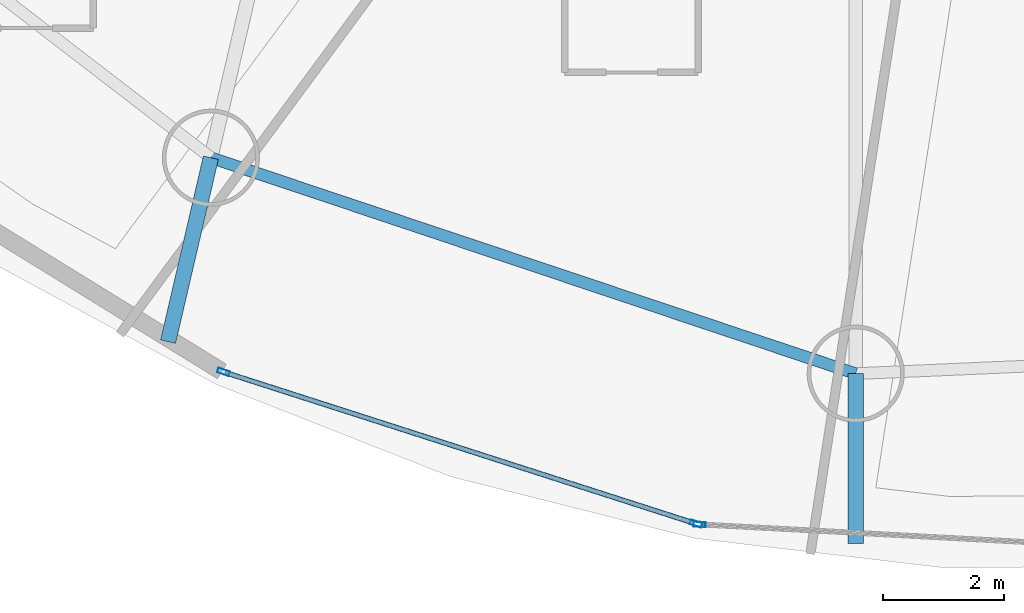
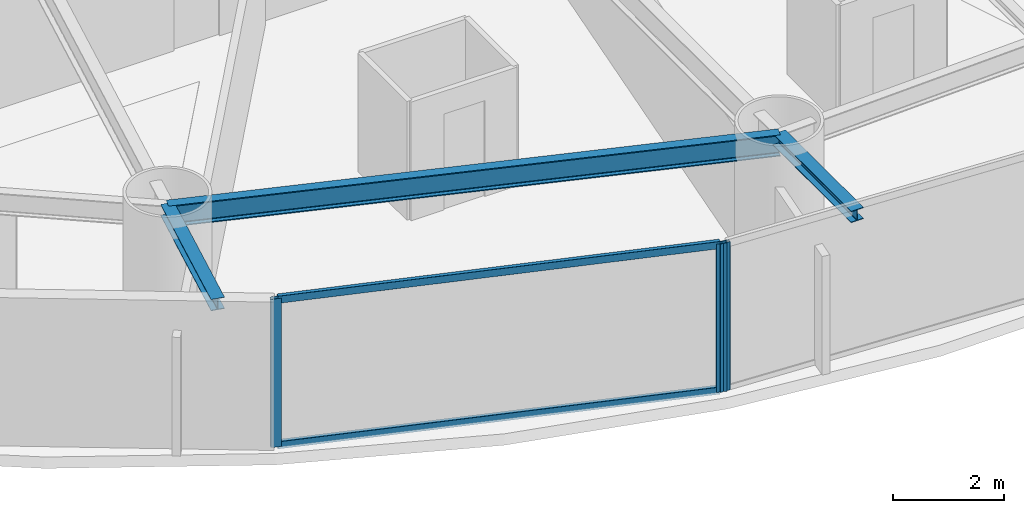
# One storey, part 2 of 26: 5 members, 3 beams, 2 elements without a shape of their own.
"""IFC4 building model written with IfcOpenShell, lengths in metres."""

from ifc_helpers import new_model, si_unit, direction, frame, origin, origin_2d, place, context, subcontext, project, spatial, hollow_rectangle, i_section, extrude, material, layer, layer_set, material_profile, profile_set, type_object, element, aggregate, save


model = new_model("IFC4")

# Units and contexts
model_context = context("Model", 3, precision=1e-05, world=origin(), true_north=direction((0.0, 1.0)))
body_context = subcontext(model_context, "Body", "Model", "MODEL_VIEW")
ifc_project = project(units=[si_unit("LENGTHUNIT", "METRE"), si_unit("AREAUNIT", "SQUARE_METRE"), si_unit("VOLUMEUNIT", "CUBIC_METRE"), si_unit("PLANEANGLEUNIT", "RADIAN"), si_unit("MASSUNIT", "GRAM", prefix="KILO")], contexts=[model_context])

# Site, building, storey
site_placement = place(None, origin())
site = spatial("IfcSite", under=ifc_project, at=site_placement, CompositionType="ELEMENT")
building_placement = place(site_placement, origin())
building = spatial("IfcBuilding", under=site, at=building_placement, Name="Bramvorn Convention Spire", CompositionType="ELEMENT")
storey_placement = place(building_placement, frame((0.0, 0.0, 76.39990234375)))
storey = spatial("IfcBuildingStorey", under=building, at=storey_placement, Name="L17", CompositionType="ELEMENT", Elevation=76.39990234375)

# Beams
ifc_material_1 = material(Name="Steel CSA G40.21 Grade 350 (350W)", Category="steel")
ifc_material_profile_1 = material_profile(ifc_material_1, i_section(OverallWidth=0.25390625, OverallDepth=0.2529296875, WebThickness=0.008544921875, FlangeThickness=0.01416015625, FilletRadius=0.011962890625, at=origin_2d()))
ifc_profile_set_1 = profile_set([ifc_material_profile_1], Name="Steel CSA G40.21 Grade 350 (350W) - W250X73")
beam_type_1 = type_object("IfcBeamType", Name="BM-W250X73", PredefinedType="BEAM", material=ifc_profile_set_1)
beam_1_placement = place(storey_placement, frame((24.40966796875, 8.490966796875, 3.12353515625), z_axis=(-0.226565383134, -0.973995958495, 0.0), x_axis=(0.973995958495, -0.226565383134, 0.0)))
element("IfcBeam", 1, at=beam_1_placement, inside=storey, type_object=beam_type_1, Name="L17 slab-edge cantilever tip beam MC12", PredefinedType="BEAM", context=body_context, shape_type="SweptSolid", body=[
    extrude(i_section(OverallWidth=0.25390625, OverallDepth=0.2529296875, WebThickness=0.008544921875, FlangeThickness=0.01416015625, FilletRadius=0.011962890625, at=origin_2d()), origin(), (0.0, 0.0, 1.0), 3.1142578125),
])
beam_2_placement = place(storey_placement, frame((35.0390625, 4.93115234375, 3.12353515625), z_axis=(0.0, -1.0, 0.0), x_axis=(1.0, 0.0, 0.0)))
element("IfcBeam", 2, at=beam_2_placement, inside=storey, type_object=beam_type_1, Name="L17 slab-edge cantilever tip beam MC13", PredefinedType="BEAM", context=body_context, shape_type="SweptSolid", body=[
    extrude(i_section(OverallWidth=0.25390625, OverallDepth=0.2529296875, WebThickness=0.008544921875, FlangeThickness=0.01416015625, FilletRadius=0.011962890625, at=origin_2d()), origin(), (0.0, 0.0, 1.0), 2.80078125),
])
ifc_material_profile_2 = material_profile(ifc_material_1, i_section(OverallWidth=0.194091796875, OverallDepth=0.468994140625, WebThickness=0.0126953125, FlangeThickness=0.0205078125, FilletRadius=0.01806640625, at=origin_2d()))
ifc_profile_set_2 = profile_set([ifc_material_profile_2], Name="Steel CSA G40.21 Grade 350 (350W) - W460X106")
beam_type_2 = type_object("IfcBeamType", Name="BM-W460X106", PredefinedType="SPANDREL", material=ifc_profile_set_2)
beam_3_placement = place(storey_placement, frame((24.40966796875, 8.490966796875, 3.015625), z_axis=(0.948235872727, -0.317566890078, 0.0), x_axis=(0.317566890078, 0.948235872727, 0.0)))
element("IfcBeam", 3, at=beam_3_placement, inside=storey, type_object=beam_type_2, Name="L17 mega-column ring beam 12", PredefinedType="SPANDREL", context=body_context, shape_type="SweptSolid", body=[
    extrude(i_section(OverallWidth=0.194091796875, OverallDepth=0.468994140625, WebThickness=0.0126953125, FlangeThickness=0.0205078125, FilletRadius=0.01806640625, at=origin_2d()), origin(), (0.0, 0.0, 1.0), 11.209716796875),
])

# Curtain wall, members
ifc_material_2 = material(Name="Anodised Bronze Unitised Curtain Wall", Category="aluminium")
ifc_layer = layer(ifc_material_2, 0.179931640625)
ifc_layer_set = layer_set([ifc_layer], Name="Anodised Bronze Unitised Curtain Wall - CW-HTL-FRIT")
curtain_wall_type = type_object("IfcCurtainWallType", Name="CW-HTL-FRIT", PredefinedType="USERDEFINED", material=ifc_layer_set)
curtain_wall_1_placement = place(storey_placement, origin())
curtain_wall_1 = element("IfcCurtainWall", 4, at=curtain_wall_1_placement, inside=storey, type_object=curtain_wall_type, Name="L17 fritted glass curtain wall 18", ObjectType="UNITISED CURTAIN WALL", PredefinedType="USERDEFINED")
ifc_material_3 = material(Name="Anodised Bronze Aluminium 6063-T6", Category="aluminium")
ifc_material_profile_3 = material_profile(ifc_material_3, hollow_rectangle(XDim=0.080078125, YDim=0.199951171875, WallThickness=0.00390625, InnerFilletRadius=0.0009765625, OuterFilletRadius=0.00390625, at=origin_2d()))
ifc_profile_set_3 = profile_set([ifc_material_profile_3], Name="Anodised Bronze Aluminium 6063-T6 - CWM80X200")
member_type_1 = type_object("IfcMemberType", Name="CW-MUL-180", PredefinedType="MULLION", material=ifc_profile_set_3)
member_1_placement = place(storey_placement, frame((32.4072265625, 2.457275390625, 0.0), z_axis=(0.0, 0.0, 1.0), x_axis=(-0.305801393929, -0.952095324782, 0.0)))
member_1 = element("IfcMember", 5, at=member_1_placement, type_object=member_type_1, Name="CW2 mullion 1", PredefinedType="MULLION", context=body_context, shape_type="SweptSolid", body=[
    extrude(hollow_rectangle(XDim=0.080078125, YDim=0.199951171875, WallThickness=0.00390625, InnerFilletRadius=0.0009765625, OuterFilletRadius=0.00390625, at=origin_2d()), origin(), (0.0, 0.0, 1.0), 3.25),
])
member_2_placement = place(storey_placement, frame((24.617919921875, 4.959228515625, 0.0), z_axis=(0.0, 0.0, 1.0), x_axis=(-0.305801393929, -0.952095324782, 0.0)))
member_2 = element("IfcMember", 6, at=member_2_placement, type_object=member_type_1, Name="CW2 mullion 2", PredefinedType="MULLION", context=body_context, shape_type="SweptSolid", body=[
    extrude(hollow_rectangle(XDim=0.080078125, YDim=0.199951171875, WallThickness=0.00390625, InnerFilletRadius=0.0009765625, OuterFilletRadius=0.00390625, at=origin_2d()), origin(), (0.0, 0.0, 1.0), 3.25),
])

# Curtain wall, member
curtain_wall_2_placement = place(storey_placement, origin())
curtain_wall_2 = element("IfcCurtainWall", 7, at=curtain_wall_2_placement, inside=storey, type_object=curtain_wall_type, Name="L17 fritted glass curtain wall 19", ObjectType="UNITISED CURTAIN WALL", PredefinedType="USERDEFINED")
member_3_placement = place(storey_placement, frame((32.4658203125, 2.446533203125, 0.0), z_axis=(0.0, 0.0, 1.0), x_axis=(-0.05397133417, -0.998542485369, 0.0)))
member_3 = element("IfcMember", 8, at=member_3_placement, type_object=member_type_1, Name="CW2 mullion 2", PredefinedType="MULLION", context=body_context, shape_type="SweptSolid", body=[
    extrude(hollow_rectangle(XDim=0.080078125, YDim=0.199951171875, WallThickness=0.00390625, InnerFilletRadius=0.0009765625, OuterFilletRadius=0.00390625, at=origin_2d()), origin(), (0.0, 0.0, 1.0), 3.25),
])
aggregate(curtain_wall_2, [member_3])

# Member
ifc_material_profile_4 = material_profile(ifc_material_3, hollow_rectangle(XDim=0.080078125, YDim=0.159912109375, WallThickness=0.00390625, InnerFilletRadius=0.0009765625, OuterFilletRadius=0.00390625, at=origin_2d()))
ifc_profile_set_4 = profile_set([ifc_material_profile_4], Name="Anodised Bronze Aluminium 6063-T6 - CWT80X160")
member_type_2 = type_object("IfcMemberType", Name="CW-TRN-150", PredefinedType="USERDEFINED", material=ifc_profile_set_4)
member_4_placement = place(storey_placement, frame((32.378662109375, 2.466552734375, 0.030029296875), z_axis=(-0.952098287688, 0.305792168936, 0.0), x_axis=(-0.305792168936, -0.952098287688, 0.0)))
member_4 = element("IfcMember", 9, at=member_4_placement, type_object=member_type_2, Name="CW2 transom 1.1", ObjectType="TRANSOM", PredefinedType="USERDEFINED", context=body_context, shape_type="SweptSolid", body=[
    extrude(hollow_rectangle(XDim=0.080078125, YDim=0.159912109375, WallThickness=0.00390625, InnerFilletRadius=0.0009765625, OuterFilletRadius=0.00390625, at=origin_2d()), origin(), (0.0, 0.0, 1.0), 8.12109375),
])

member_5_placement = place(storey_placement, frame((32.378662109375, 2.466552734375, 3.22021484375), z_axis=(-0.952098287688, 0.305792168936, 0.0), x_axis=(-0.305792168936, -0.952098287688, 0.0)))
member_5 = element("IfcMember", 10, at=member_5_placement, type_object=member_type_2, Name="CW2 transom 1.2", ObjectType="TRANSOM", PredefinedType="USERDEFINED", context=body_context, shape_type="SweptSolid", body=[
    extrude(hollow_rectangle(XDim=0.080078125, YDim=0.159912109375, WallThickness=0.00390625, InnerFilletRadius=0.0009765625, OuterFilletRadius=0.00390625, at=origin_2d()), origin(), (0.0, 0.0, 1.0), 8.12109375),
])

aggregate(curtain_wall_1, [member_1, member_2, member_4, member_5])

save(model, "model.ifc")
